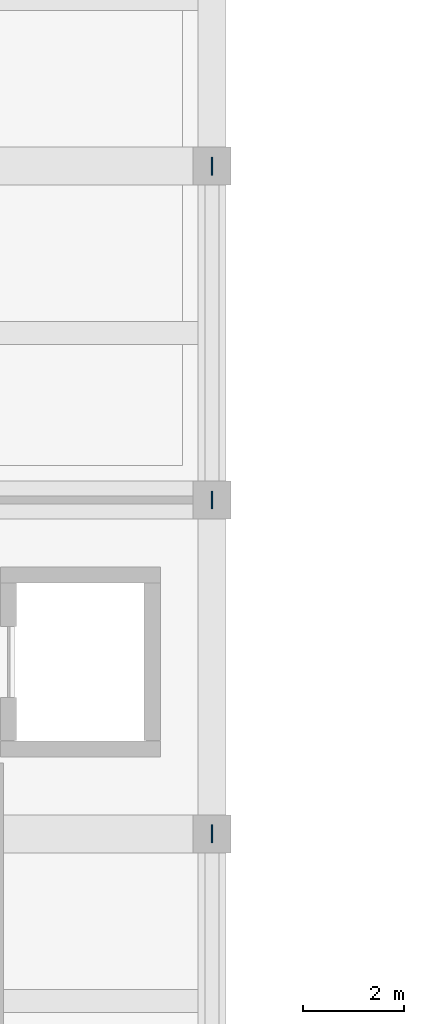
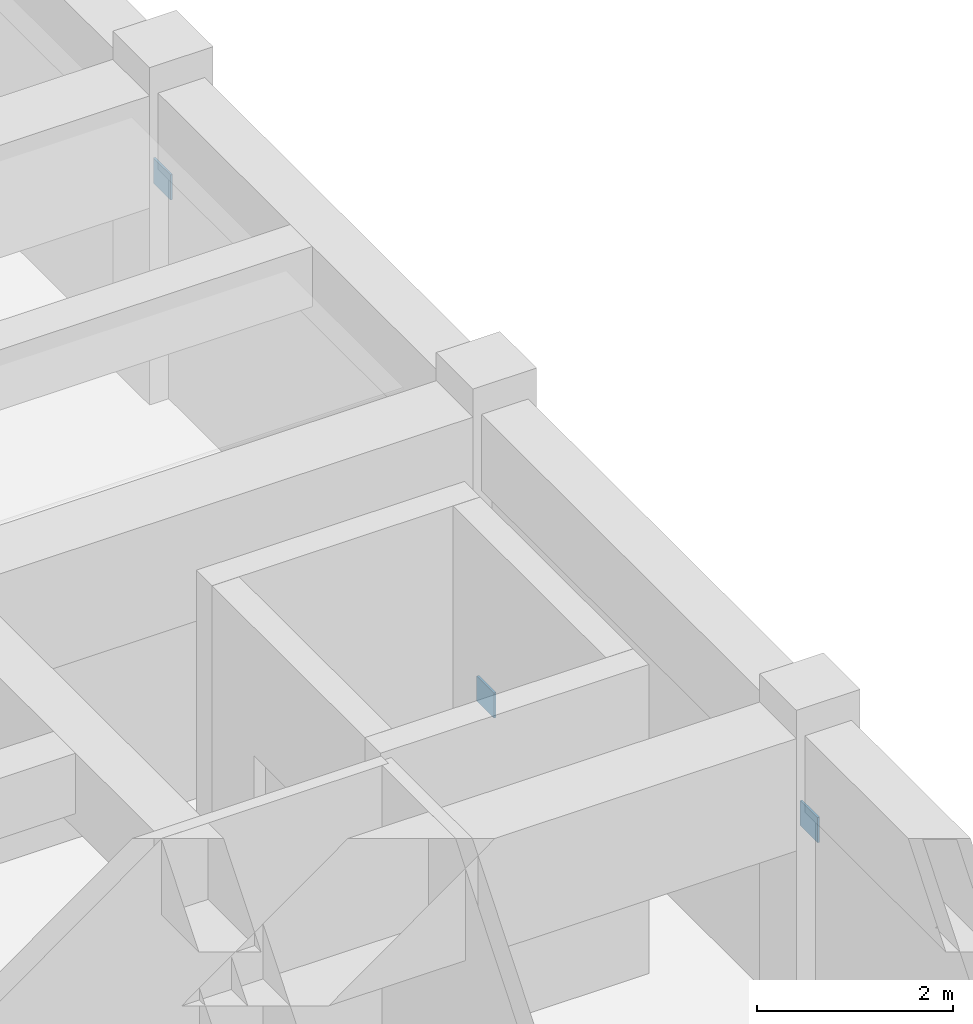
# One storey, part 118 of 148: 3 plates.
"""IFC4 building model written with IfcOpenShell, lengths in metres."""

from ifc_helpers import new_model, si_unit, direction, frame, origin, origin_2d, place, context, subcontext, project, spatial, rectangle, extrude, material, layer, layer_set, type_object, element, save


model = new_model("IFC4")

# Units and contexts
model_context = context("Model", 3, precision=1e-05, world=origin(), true_north=direction((0.0, 1.0)))
body_context = subcontext(model_context, "Body", "Model", "MODEL_VIEW")
ifc_project = project(units=[si_unit("LENGTHUNIT", "METRE"), si_unit("AREAUNIT", "SQUARE_METRE"), si_unit("VOLUMEUNIT", "CUBIC_METRE"), si_unit("PLANEANGLEUNIT", "RADIAN"), si_unit("MASSUNIT", "GRAM", prefix="KILO")], contexts=[model_context])

# Site, building, storey
site_placement = place(None, origin())
site = spatial("IfcSite", under=ifc_project, at=site_placement, CompositionType="ELEMENT")
building_placement = place(site_placement, origin())
building = spatial("IfcBuilding", under=site, at=building_placement, Name="Karori Crest Natural Sciences Institute", CompositionType="ELEMENT")
storey_placement = place(building_placement, frame((0.0, 0.0, 4.89990234375)))
storey = spatial("IfcBuildingStorey", under=building, at=storey_placement, Name="L01", CompositionType="ELEMENT", Elevation=4.89990234375)

# Plates
ifc_material = material(Name="Structural steel AS/NZS 3679.1 Grade 350", Category="steel")
ifc_layer = layer(ifc_material, 0.02490234375, Name="Structural steel AS/NZS 3679.1 Grade 350")
ifc_layer_set = layer_set([ifc_layer], Name="Structural steel AS/NZS 3679.1 Grade 350")
plate_type = type_object("IfcPlateType", Name="PLT-06-EL", PredefinedType="SHEET", material=ifc_layer_set)
for number, where, z_axis, x_axis, name in (
    (1, (27.199951171875, 101.60009765625, 2.3037109375), (0.0, 0.0, 1.0), (0.0, 1.0, 0.0), "Brace gusset plate EP-0367"),
    (2, (27.199951171875, 108.199951171875, -0.146484375), (0.0, 0.0, 1.0), (0.0, 1.0, 0.0), "Brace gusset plate EP-0368"),
    (3, (27.199951171875, 114.800048828125, 2.3037109375), (0.0, 0.0, 1.0), (0.0, 1.0, 0.0), "Brace gusset plate EP-0369"),
):
    element("IfcPlate", number, at=place(storey_placement, frame(where, z_axis=z_axis, x_axis=x_axis)), inside=storey, type_object=plate_type, Name=name, PredefinedType="SHEET", context=body_context, shape_type="SweptSolid", body=[
        extrude(rectangle(XDim=0.35302734375, YDim=0.02490234375, at=origin_2d()), origin(), (0.0, 0.0, 1.0), 0.31298828125),
    ])

save(model, "model.ifc")
